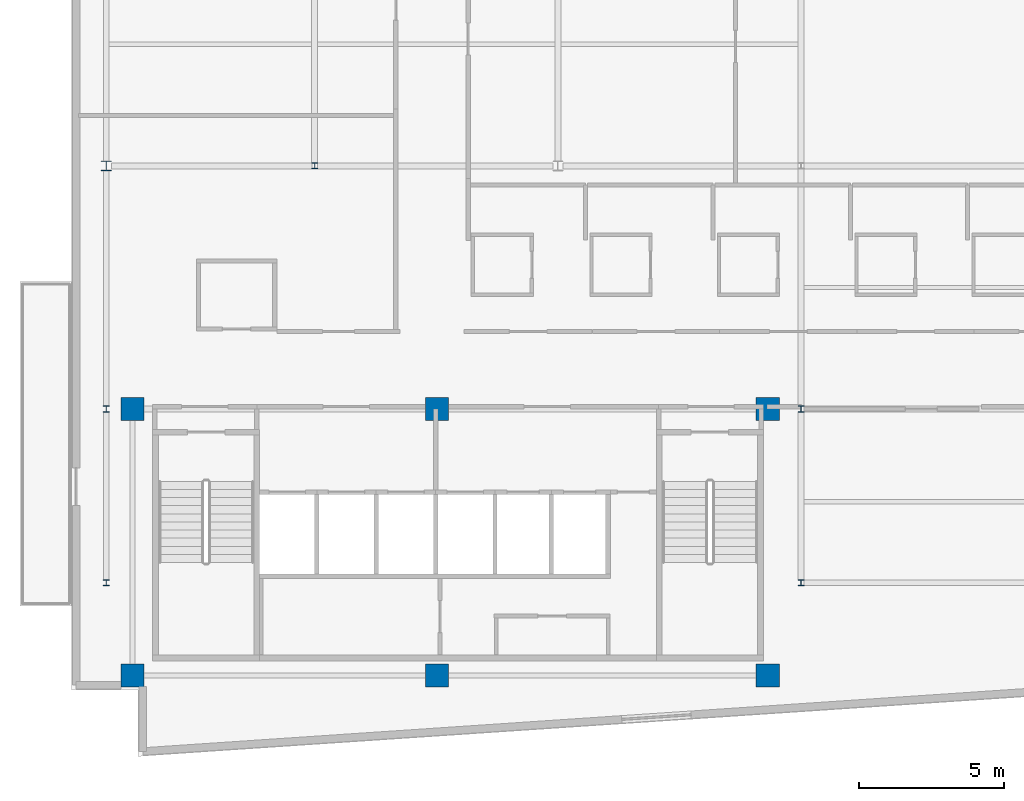
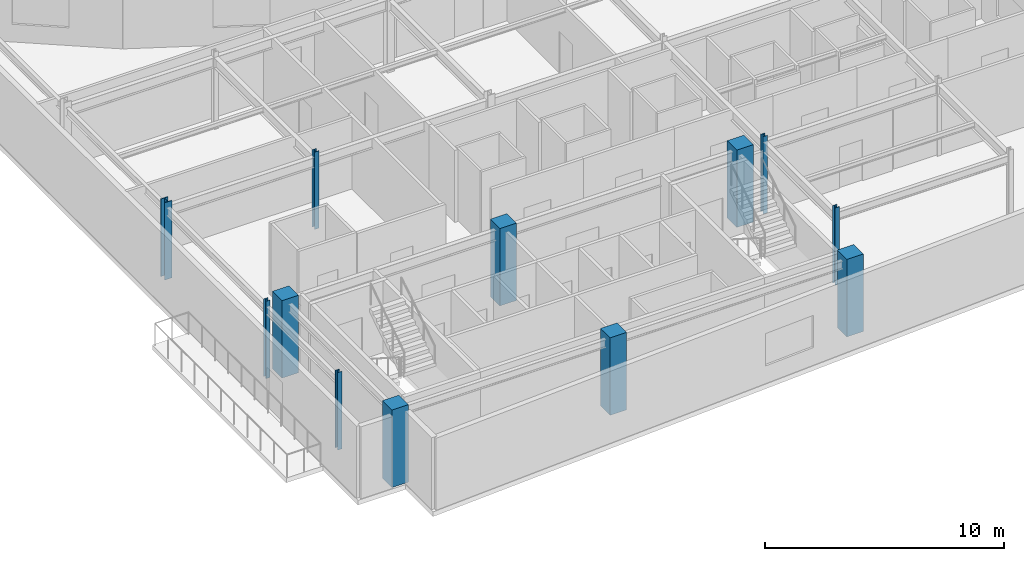
# One storey, part 1 of 15: 12 columns.
"""IFC4 building model written with IfcOpenShell, lengths in metres."""

from ifc_helpers import new_model, si_unit, direction, frame, origin, origin_2d, place, context, subcontext, project, spatial, rectangle, i_section, extrude, material, material_profile, profile_set, type_object, element, save


model = new_model("IFC4")

# Units and contexts
model_context = context("Model", 3, precision=1e-05, world=origin(), true_north=direction((0.0, 1.0)))
body_context = subcontext(model_context, "Body", "Model", "MODEL_VIEW")
ifc_project = project(units=[si_unit("LENGTHUNIT", "METRE"), si_unit("AREAUNIT", "SQUARE_METRE"), si_unit("VOLUMEUNIT", "CUBIC_METRE"), si_unit("PLANEANGLEUNIT", "RADIAN"), si_unit("MASSUNIT", "GRAM", prefix="KILO")], contexts=[model_context])

# Site, building, storey
site_placement = place(None, origin())
site = spatial("IfcSite", under=ifc_project, at=site_placement, CompositionType="ELEMENT")
building_placement = place(site_placement, origin())
building = spatial("IfcBuilding", under=site, at=building_placement, Name="Varnakote Quay Hospital", CompositionType="ELEMENT")
storey_placement = place(building_placement, frame((0.0, 0.0, 300.0)))
storey = spatial("IfcBuildingStorey", under=building, at=storey_placement, Name="L74", CompositionType="ELEMENT", Elevation=300.0)

# Columns
ifc_material_1 = material(Name="Concrete N50 (f'c 50 MPa)", Category="concrete")
ifc_material_profile_1 = material_profile(ifc_material_1, rectangle(XDim=0.800048828125, YDim=0.800048828125, at=origin_2d()), Name="RC-COL-800x800")
ifc_profile_set_1 = profile_set([ifc_material_profile_1], Name="Concrete N50 (f'c 50 MPa)")
column_type_1 = type_object("IfcColumnType", Name="COL-RC-800", PredefinedType="COLUMN", material=ifc_profile_set_1)
for number, where, z_axis, x_axis, name in (
    (1, (2.10009765625, 2.800048828125, 0.0), (0.0, 0.0, 1.0), (1.0, 0.0, 0.0), "L74 Structural Column C-2-3"),
    (2, (12.6201171875, 2.800048828125, 0.0), (0.0, 0.0, 1.0), (1.0, 0.0, 0.0), "L74 Structural Column C-13-3"),
    (3, (24.050048828125, 2.800048828125, 0.0), (0.0, 0.0, 1.0), (1.0, 0.0, 0.0), "L74 Structural Column C-24-3"),
    (4, (2.10009765625, 12.0, 0.0), (0.0, 0.0, 1.0), (1.0, 0.0, 0.0), "L74 Structural Column C-2-12"),
    (5, (12.6201171875, 12.0, 0.0), (0.0, 0.0, 1.0), (1.0, 0.0, 0.0), "L74 Structural Column C-13-12"),
    (6, (24.050048828125, 12.0, 0.0), (0.0, 0.0, 1.0), (1.0, 0.0, 0.0), "L74 Structural Column C-24-12"),
):
    element("IfcColumn", number, at=place(storey_placement, frame(where, z_axis=z_axis, x_axis=x_axis)), inside=storey, type_object=column_type_1, Name=name, PredefinedType="COLUMN", context=body_context, shape_type="SweptSolid", body=[
        extrude(rectangle(XDim=0.800048828125, YDim=0.800048828125, at=origin_2d()), origin(), (0.0, 0.0, 1.0), 3.949951171875),
    ])
ifc_material_2 = material(Name="Structural steel AS/NZS 3679.1 Grade 350 L0 (fy 340 MPa)", Category="steel")
ifc_material_profile_2 = material_profile(ifc_material_2, i_section(OverallWidth=0.205078125, OverallDepth=0.2099609375, WebThickness=0.00927734375, FlangeThickness=0.01416015625, FilletRadius=0.011474609375, at=origin_2d()), Name="200UC59.5")
ifc_profile_set_2 = profile_set([ifc_material_profile_2], Name="Structural steel AS/NZS 3679.1 Grade 350 L0 (fy 340 MPa)")
column_type_2 = type_object("IfcColumnType", Name="COL-STL-200UC59-5", PredefinedType="COLUMN", material=ifc_profile_set_2)
for number, where, z_axis, x_axis, name in (
    (7, (1.199951171875, 6.0, 0.0), (0.0, 0.0, 1.0), (1.0, 0.0, 0.0), "L74 Structural Column C-1-6"),
    (8, (25.199951171875, 6.0, 0.0), (0.0, 0.0, 1.0), (1.0, 0.0, 0.0), "L74 Structural Column C-25-6"),
    (9, (1.199951171875, 12.0, 0.0), (0.0, 0.0, 1.0), (1.0, 0.0, 0.0), "L74 Structural Column C-1-12"),
    (10, (25.199951171875, 12.0, 0.0), (0.0, 0.0, 1.0), (1.0, 0.0, 0.0), "L74 Structural Column C-25-12"),
    (11, (8.39990234375, 20.39990234375, 0.0), (0.0, 0.0, 1.0), (1.0, 0.0, 0.0), "L74 Structural Column C-8-20"),
):
    element("IfcColumn", number, at=place(storey_placement, frame(where, z_axis=z_axis, x_axis=x_axis)), inside=storey, type_object=column_type_2, Name=name, PredefinedType="COLUMN", context=body_context, shape_type="SweptSolid", body=[
        extrude(i_section(OverallWidth=0.205078125, OverallDepth=0.2099609375, WebThickness=0.00927734375, FlangeThickness=0.01416015625, FilletRadius=0.011474609375, at=origin_2d()), origin(), (0.0, 0.0, 1.0), 3.949951171875),
    ])
ifc_material_3 = material(Name="Structural steel AS/NZS 3678 Grade 350 (fy 340 MPa)", Category="steel")
ifc_material_profile_3 = material_profile(ifc_material_3, i_section(OverallWidth=0.35009765625, OverallDepth=0.340087890625, WebThickness=0.01611328125, FlangeThickness=0.028076171875, at=origin_2d()), Name="350WC197")
ifc_profile_set_3 = profile_set([ifc_material_profile_3], Name="Structural steel AS/NZS 3678 Grade 350 (fy 340 MPa)")
column_type_3 = type_object("IfcColumnType", Name="COL-STL-350WC197", PredefinedType="COLUMN", material=ifc_profile_set_3)
column_placement = place(storey_placement, frame((1.199951171875, 20.39990234375, 0.0), z_axis=(0.0, 0.0, 1.0), x_axis=(1.0, 0.0, 0.0)))
element("IfcColumn", 12, at=column_placement, inside=storey, type_object=column_type_3, Name="L74 Structural Column C-1-20", PredefinedType="COLUMN", context=body_context, shape_type="SweptSolid", body=[
    extrude(i_section(OverallWidth=0.35009765625, OverallDepth=0.340087890625, WebThickness=0.01611328125, FlangeThickness=0.028076171875, at=origin_2d()), origin(), (0.0, 0.0, 1.0), 3.949951171875),
])

save(model, "model.ifc")
